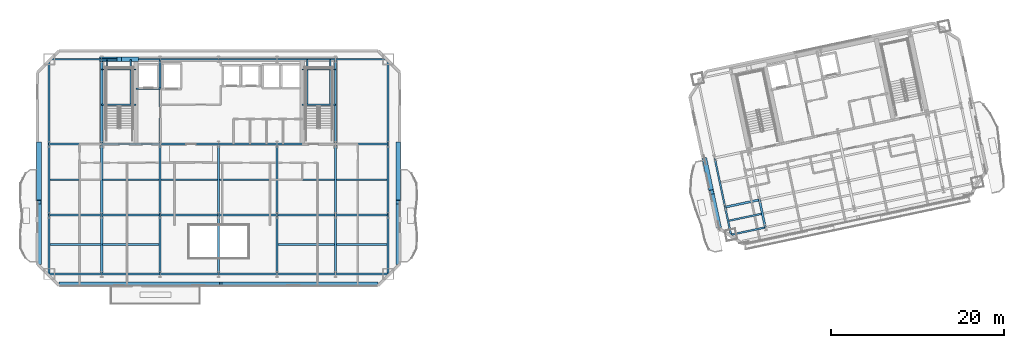
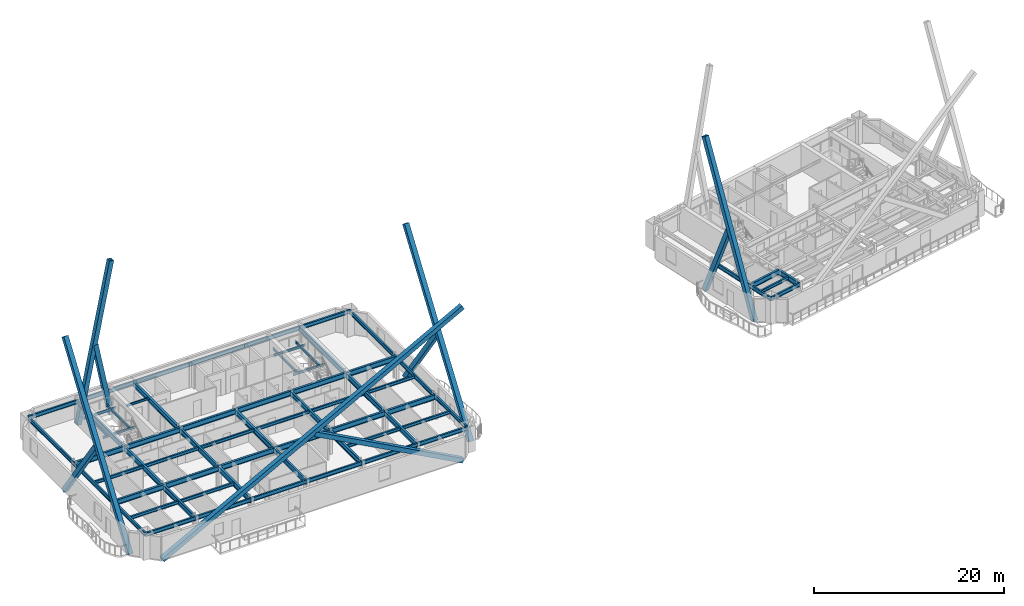
# One storey, part 3 of 19: 68 beams, 10 members.
"""IFC4 building model written with IfcOpenShell, lengths in metres."""

from ifc_helpers import new_model, si_unit, direction, frame, origin, origin_2d, place, context, subcontext, project, spatial, hollow_rectangle, i_section, extrude, material, material_profile, profile_set, type_object, element, save


model = new_model("IFC4")

# Units and contexts
model_context = context("Model", 3, precision=1e-05, world=origin(), true_north=direction((0.0, 1.0)))
body_context = subcontext(model_context, "Body", "Model", "MODEL_VIEW")
ifc_project = project(units=[si_unit("LENGTHUNIT", "METRE"), si_unit("AREAUNIT", "SQUARE_METRE"), si_unit("VOLUMEUNIT", "CUBIC_METRE"), si_unit("PLANEANGLEUNIT", "RADIAN"), si_unit("MASSUNIT", "GRAM", prefix="KILO")], contexts=[model_context])

# Site, building, storey
site_placement = place(None, origin())
site = spatial("IfcSite", under=ifc_project, at=site_placement, CompositionType="ELEMENT")
building_placement = place(site_placement, origin())
building = spatial("IfcBuilding", under=site, at=building_placement, Name="Haevon Station Towers", CompositionType="ELEMENT")
storey_placement = place(building_placement, frame((0.0, 0.0, 156.0)))
storey = spatial("IfcBuildingStorey", under=building, at=storey_placement, Name="L42", CompositionType="ELEMENT", Elevation=156.0)

# Beams
ifc_material_1 = material(Name="Steel S355", Category="steel")
ifc_material_profile_1 = material_profile(ifc_material_1, i_section(OverallWidth=0.25, OverallDepth=0.64990234375, WebThickness=0.012939453125, FlangeThickness=0.02197265625, at=origin_2d()), Name="H-650x250x13x22")
ifc_profile_set_1 = profile_set([ifc_material_profile_1], Name="Steel S355")
beam_type_1 = type_object("IfcBeamType", Name="BM-G650", PredefinedType="BEAM", material=ifc_profile_set_1)
beam_1_placement = place(storey_placement, frame((17.925048828125, 30.0, 2.72509765625), z_axis=(1.0, 0.0, 0.0), x_axis=(0.0, 1.0, 0.0)))
element("IfcBeam", 1, at=beam_1_placement, inside=storey, type_object=beam_type_1, Name="BM-T1U-L42-02-01", PredefinedType="BEAM", context=body_context, shape_type="SweptSolid", body=[
    extrude(i_section(OverallWidth=0.25, OverallDepth=0.64990234375, WebThickness=0.012939453125, FlangeThickness=0.02197265625, at=origin_2d()), origin(), (0.0, 0.0, 1.0), 6.074951171875),
])
for number, where, z_axis, x_axis, name in (
    (2, (24.0, 30.0, 2.72509765625), (1.0, 0.0, 0.0), (0.0, 1.0, 0.0), "BM-T1U-L42-02-02"),
    (3, (30.75, 30.0, 2.72509765625), (1.0, 0.0, 0.0), (0.0, 1.0, 0.0), "BM-T1U-L42-02-03"),
    (4, (37.5, 30.0, 2.72509765625), (1.0, 0.0, 0.0), (0.0, 1.0, 0.0), "BM-T1U-L42-02-04"),
    (5, (44.25, 30.0, 2.72509765625), (1.0, 0.0, 0.0), (0.0, 1.0, 0.0), "BM-T1U-L42-02-05"),
):
    element("IfcBeam", number, at=place(storey_placement, frame(where, z_axis=z_axis, x_axis=x_axis)), inside=storey, type_object=beam_type_1, Name=name, PredefinedType="BEAM", context=body_context, shape_type="SweptSolid", body=[
        extrude(i_section(OverallWidth=0.25, OverallDepth=0.64990234375, WebThickness=0.012939453125, FlangeThickness=0.02197265625, at=origin_2d()), origin(), (0.0, 0.0, 1.0), 6.75),
    ])
for number, where, z_axis, x_axis, name in (
    (6, (51.0, 30.0, 2.72509765625), (1.0, 0.0, 0.0), (0.0, 1.0, 0.0), "BM-T1U-L42-02-06"),
    (7, (17.925048828125, 38.199951171875, 2.72509765625), (1.0, 0.0, 0.0), (0.0, 1.0, 0.0), "BM-T1U-L42-03-01"),
):
    element("IfcBeam", number, at=place(storey_placement, frame(where, z_axis=z_axis, x_axis=x_axis)), inside=storey, type_object=beam_type_1, Name=name, PredefinedType="BEAM", context=body_context, shape_type="SweptSolid", body=[
        extrude(i_section(OverallWidth=0.25, OverallDepth=0.64990234375, WebThickness=0.012939453125, FlangeThickness=0.02197265625, at=origin_2d()), origin(), (0.0, 0.0, 1.0), 6.074951171875),
    ])
for number, where, z_axis, x_axis, name in (
    (8, (24.0, 38.199951171875, 2.72509765625), (1.0, 0.0, 0.0), (0.0, 1.0, 0.0), "BM-T1U-L42-03-02"),
    (9, (30.75, 38.199951171875, 2.72509765625), (1.0, 0.0, 0.0), (0.0, 1.0, 0.0), "BM-T1U-L42-03-03"),
    (10, (37.5, 38.199951171875, 2.72509765625), (1.0, 0.0, 0.0), (0.0, 1.0, 0.0), "BM-T1U-L42-03-04"),
    (11, (44.25, 38.199951171875, 2.72509765625), (1.0, 0.0, 0.0), (0.0, 1.0, 0.0), "BM-T1U-L42-03-05"),
):
    element("IfcBeam", number, at=place(storey_placement, frame(where, z_axis=z_axis, x_axis=x_axis)), inside=storey, type_object=beam_type_1, Name=name, PredefinedType="BEAM", context=body_context, shape_type="SweptSolid", body=[
        extrude(i_section(OverallWidth=0.25, OverallDepth=0.64990234375, WebThickness=0.012939453125, FlangeThickness=0.02197265625, at=origin_2d()), origin(), (0.0, 0.0, 1.0), 6.75),
    ])
beam_2_placement = place(storey_placement, frame((51.0, 38.199951171875, 2.72509765625), z_axis=(1.0, 0.0, 0.0), x_axis=(0.0, 1.0, 0.0)))
element("IfcBeam", 12, at=beam_2_placement, inside=storey, type_object=beam_type_1, Name="BM-T1U-L42-03-06", PredefinedType="BEAM", context=body_context, shape_type="SweptSolid", body=[
    extrude(i_section(OverallWidth=0.25, OverallDepth=0.64990234375, WebThickness=0.012939453125, FlangeThickness=0.02197265625, at=origin_2d()), origin(), (0.0, 0.0, 1.0), 6.074951171875),
])
beam_3_placement = place(storey_placement, frame((24.0, 23.199951171875, 2.72509765625), z_axis=(0.0, 1.0, 0.0), x_axis=(-1.0, 0.0, 0.0)))
element("IfcBeam", 13, at=beam_3_placement, inside=storey, type_object=beam_type_1, Name="BM-T1V-L42-02-01", PredefinedType="BEAM", context=body_context, shape_type="SweptSolid", body=[
    extrude(i_section(OverallWidth=0.25, OverallDepth=0.64990234375, WebThickness=0.012939453125, FlangeThickness=0.02197265625, at=origin_2d()), origin(), (0.0, 0.0, 1.0), 6.800048828125),
])
beam_4_placement = place(storey_placement, frame((24.0, 30.0, 2.72509765625), z_axis=(0.0, 1.0, 0.0), x_axis=(-1.0, 0.0, 0.0)))
element("IfcBeam", 14, at=beam_4_placement, inside=storey, type_object=beam_type_1, Name="BM-T1V-L42-02-02", PredefinedType="BEAM", context=body_context, shape_type="SweptSolid", body=[
    extrude(i_section(OverallWidth=0.25, OverallDepth=0.64990234375, WebThickness=0.012939453125, FlangeThickness=0.02197265625, at=origin_2d()), origin(), (0.0, 0.0, 1.0), 8.199951171875),
])
beam_5_placement = place(storey_placement, frame((24.0, 38.199951171875, 2.72509765625), z_axis=(0.0, 1.0, 0.0), x_axis=(-1.0, 0.0, 0.0)))
element("IfcBeam", 15, at=beam_5_placement, inside=storey, type_object=beam_type_1, Name="BM-T1V-L42-02-03", PredefinedType="BEAM", context=body_context, shape_type="SweptSolid", body=[
    extrude(i_section(OverallWidth=0.25, OverallDepth=0.64990234375, WebThickness=0.012939453125, FlangeThickness=0.02197265625, at=origin_2d()), origin(), (0.0, 0.0, 1.0), 9.800048828125),
])
beam_6_placement = place(storey_placement, frame((30.75, 23.199951171875, 2.72509765625), z_axis=(0.0, 1.0, 0.0), x_axis=(-1.0, 0.0, 0.0)))
element("IfcBeam", 16, at=beam_6_placement, inside=storey, type_object=beam_type_1, Name="BM-T1V-L42-03-01", PredefinedType="BEAM", context=body_context, shape_type="SweptSolid", body=[
    extrude(i_section(OverallWidth=0.25, OverallDepth=0.64990234375, WebThickness=0.012939453125, FlangeThickness=0.02197265625, at=origin_2d()), origin(), (0.0, 0.0, 1.0), 6.800048828125),
])
beam_7_placement = place(storey_placement, frame((30.75, 30.0, 2.72509765625), z_axis=(0.0, 1.0, 0.0), x_axis=(-1.0, 0.0, 0.0)))
element("IfcBeam", 17, at=beam_7_placement, inside=storey, type_object=beam_type_1, Name="BM-T1V-L42-03-02", PredefinedType="BEAM", context=body_context, shape_type="SweptSolid", body=[
    extrude(i_section(OverallWidth=0.25, OverallDepth=0.64990234375, WebThickness=0.012939453125, FlangeThickness=0.02197265625, at=origin_2d()), origin(), (0.0, 0.0, 1.0), 8.199951171875),
])
beam_8_placement = place(storey_placement, frame((30.75, 38.199951171875, 2.72509765625), z_axis=(0.0, 1.0, 0.0), x_axis=(-1.0, 0.0, 0.0)))
element("IfcBeam", 18, at=beam_8_placement, inside=storey, type_object=beam_type_1, Name="BM-T1V-L42-03-03", PredefinedType="BEAM", context=body_context, shape_type="SweptSolid", body=[
    extrude(i_section(OverallWidth=0.25, OverallDepth=0.64990234375, WebThickness=0.012939453125, FlangeThickness=0.02197265625, at=origin_2d()), origin(), (0.0, 0.0, 1.0), 9.800048828125),
])
beam_9_placement = place(storey_placement, frame((37.5, 23.199951171875, 2.72509765625), z_axis=(0.0, 1.0, 0.0), x_axis=(-1.0, 0.0, 0.0)))
element("IfcBeam", 19, at=beam_9_placement, inside=storey, type_object=beam_type_1, Name="BM-T1V-L42-04-01", PredefinedType="BEAM", context=body_context, shape_type="SweptSolid", body=[
    extrude(i_section(OverallWidth=0.25, OverallDepth=0.64990234375, WebThickness=0.012939453125, FlangeThickness=0.02197265625, at=origin_2d()), origin(), (0.0, 0.0, 1.0), 6.800048828125),
])
beam_10_placement = place(storey_placement, frame((37.5, 30.0, 2.72509765625), z_axis=(0.0, 1.0, 0.0), x_axis=(-1.0, 0.0, 0.0)))
element("IfcBeam", 20, at=beam_10_placement, inside=storey, type_object=beam_type_1, Name="BM-T1V-L42-04-02", PredefinedType="BEAM", context=body_context, shape_type="SweptSolid", body=[
    extrude(i_section(OverallWidth=0.25, OverallDepth=0.64990234375, WebThickness=0.012939453125, FlangeThickness=0.02197265625, at=origin_2d()), origin(), (0.0, 0.0, 1.0), 8.199951171875),
])
beam_11_placement = place(storey_placement, frame((44.25, 23.199951171875, 2.72509765625), z_axis=(0.0, 1.0, 0.0), x_axis=(-1.0, 0.0, 0.0)))
element("IfcBeam", 21, at=beam_11_placement, inside=storey, type_object=beam_type_1, Name="BM-T1V-L42-05-01", PredefinedType="BEAM", context=body_context, shape_type="SweptSolid", body=[
    extrude(i_section(OverallWidth=0.25, OverallDepth=0.64990234375, WebThickness=0.012939453125, FlangeThickness=0.02197265625, at=origin_2d()), origin(), (0.0, 0.0, 1.0), 6.800048828125),
])
beam_12_placement = place(storey_placement, frame((44.25, 30.0, 2.72509765625), z_axis=(0.0, 1.0, 0.0), x_axis=(-1.0, 0.0, 0.0)))
element("IfcBeam", 22, at=beam_12_placement, inside=storey, type_object=beam_type_1, Name="BM-T1V-L42-05-02", PredefinedType="BEAM", context=body_context, shape_type="SweptSolid", body=[
    extrude(i_section(OverallWidth=0.25, OverallDepth=0.64990234375, WebThickness=0.012939453125, FlangeThickness=0.02197265625, at=origin_2d()), origin(), (0.0, 0.0, 1.0), 8.199951171875),
])
beam_13_placement = place(storey_placement, frame((51.0, 23.199951171875, 2.72509765625), z_axis=(0.0, 1.0, 0.0), x_axis=(-1.0, 0.0, 0.0)))
element("IfcBeam", 23, at=beam_13_placement, inside=storey, type_object=beam_type_1, Name="BM-T1V-L42-06-01", PredefinedType="BEAM", context=body_context, shape_type="SweptSolid", body=[
    extrude(i_section(OverallWidth=0.25, OverallDepth=0.64990234375, WebThickness=0.012939453125, FlangeThickness=0.02197265625, at=origin_2d()), origin(), (0.0, 0.0, 1.0), 6.800048828125),
])
beam_14_placement = place(storey_placement, frame((51.0, 30.0, 2.72509765625), z_axis=(0.0, 1.0, 0.0), x_axis=(-1.0, 0.0, 0.0)))
element("IfcBeam", 24, at=beam_14_placement, inside=storey, type_object=beam_type_1, Name="BM-T1V-L42-06-02", PredefinedType="BEAM", context=body_context, shape_type="SweptSolid", body=[
    extrude(i_section(OverallWidth=0.25, OverallDepth=0.64990234375, WebThickness=0.012939453125, FlangeThickness=0.02197265625, at=origin_2d()), origin(), (0.0, 0.0, 1.0), 8.199951171875),
])
beam_15_placement = place(storey_placement, frame((51.0, 38.199951171875, 2.72509765625), z_axis=(0.0, 1.0, 0.0), x_axis=(-1.0, 0.0, 0.0)))
element("IfcBeam", 25, at=beam_15_placement, inside=storey, type_object=beam_type_1, Name="BM-T1V-L42-06-03", PredefinedType="BEAM", context=body_context, shape_type="SweptSolid", body=[
    extrude(i_section(OverallWidth=0.25, OverallDepth=0.64990234375, WebThickness=0.012939453125, FlangeThickness=0.02197265625, at=origin_2d()), origin(), (0.0, 0.0, 1.0), 9.800048828125),
])
beam_16_placement = place(storey_placement, frame((95.996826171875, 30.927001953125, 2.72509765625), z_axis=(0.978146899108, 0.207914991681, 0.0), x_axis=(-0.207914991681, 0.978146899108, 0.0)))
element("IfcBeam", 26, at=beam_16_placement, inside=storey, type_object=beam_type_1, Name="BM-T2U-L42-02-01", PredefinedType="BEAM", context=body_context, shape_type="SweptSolid", body=[
    extrude(i_section(OverallWidth=0.25, OverallDepth=0.64990234375, WebThickness=0.012939453125, FlangeThickness=0.02197265625, at=origin_2d()), origin(), (0.0, 0.0, 1.0), 4.050048828125),
])
beam_17_placement = place(storey_placement, frame((100.635986328125, 28.580322265625, 2.72509765625), z_axis=(-0.207897270364, 0.978150665785, 0.0), x_axis=(-0.978150665785, -0.207897270364, 0.0)))
element("IfcBeam", 27, at=beam_17_placement, inside=storey, type_object=beam_type_1, Name="BM-T2V-L42-02-01", PredefinedType="BEAM", context=body_context, shape_type="SweptSolid", body=[
    extrude(i_section(OverallWidth=0.25, OverallDepth=0.64990234375, WebThickness=0.012939453125, FlangeThickness=0.02197265625, at=origin_2d()), origin(), (0.0, 0.0, 1.0), 3.260009765625),
])
ifc_material_profile_2 = material_profile(ifc_material_1, i_section(OverallWidth=0.199951171875, OverallDepth=0.39990234375, WebThickness=0.008056640625, FlangeThickness=0.012939453125, at=origin_2d()), Name="H-400x200x8x13")
ifc_profile_set_2 = profile_set([ifc_material_profile_2], Name="Steel S355")
beam_type_2 = type_object("IfcBeamType", Name="BM-J400", PredefinedType="JOIST", material=ifc_profile_set_2)
beam_18_placement = place(storey_placement, frame((18.034912109375, 26.60009765625, 2.85009765625), z_axis=(1.0, 0.0, 0.0), x_axis=(0.0, 1.0, 0.0)))
element("IfcBeam", 28, at=beam_18_placement, inside=storey, type_object=beam_type_2, Name="BM-T1J-L42-01-01", PredefinedType="JOIST", context=body_context, shape_type="SweptSolid", body=[
    extrude(i_section(OverallWidth=0.199951171875, OverallDepth=0.39990234375, WebThickness=0.008056640625, FlangeThickness=0.012939453125, at=origin_2d()), origin(), (0.0, 0.0, 1.0), 5.85498046875),
])
for number, where, z_axis, x_axis, name in (
    (29, (24.110107421875, 26.60009765625, 2.85009765625), (1.0, 0.0, 0.0), (0.0, 1.0, 0.0), "BM-T1J-L42-01-02"),
    (30, (44.360107421875, 26.60009765625, 2.85009765625), (1.0, 0.0, 0.0), (0.0, 1.0, 0.0), "BM-T1J-L42-01-05"),
):
    element("IfcBeam", number, at=place(storey_placement, frame(where, z_axis=z_axis, x_axis=x_axis)), inside=storey, type_object=beam_type_2, Name=name, PredefinedType="JOIST", context=body_context, shape_type="SweptSolid", body=[
        extrude(i_section(OverallWidth=0.199951171875, OverallDepth=0.39990234375, WebThickness=0.008056640625, FlangeThickness=0.012939453125, at=origin_2d()), origin(), (0.0, 0.0, 1.0), 6.52978515625),
    ])
for number, where, z_axis, x_axis, name in (
    (31, (51.110107421875, 26.60009765625, 2.85009765625), (1.0, 0.0, 0.0), (0.0, 1.0, 0.0), "BM-T1J-L42-01-06"),
    (32, (18.034912109375, 34.10009765625, 2.85009765625), (1.0, 0.0, 0.0), (0.0, 1.0, 0.0), "BM-T1J-L42-02-01"),
):
    element("IfcBeam", number, at=place(storey_placement, frame(where, z_axis=z_axis, x_axis=x_axis)), inside=storey, type_object=beam_type_2, Name=name, PredefinedType="JOIST", context=body_context, shape_type="SweptSolid", body=[
        extrude(i_section(OverallWidth=0.199951171875, OverallDepth=0.39990234375, WebThickness=0.008056640625, FlangeThickness=0.012939453125, at=origin_2d()), origin(), (0.0, 0.0, 1.0), 5.85498046875),
    ])
for number, where, z_axis, x_axis, name in (
    (33, (24.110107421875, 34.10009765625, 2.85009765625), (1.0, 0.0, 0.0), (0.0, 1.0, 0.0), "BM-T1J-L42-02-02"),
    (34, (30.860107421875, 34.10009765625, 2.85009765625), (1.0, 0.0, 0.0), (0.0, 1.0, 0.0), "BM-T1J-L42-02-03"),
    (35, (37.610107421875, 34.10009765625, 2.85009765625), (1.0, 0.0, 0.0), (0.0, 1.0, 0.0), "BM-T1J-L42-02-04"),
    (36, (44.360107421875, 34.10009765625, 2.85009765625), (1.0, 0.0, 0.0), (0.0, 1.0, 0.0), "BM-T1J-L42-02-05"),
):
    element("IfcBeam", number, at=place(storey_placement, frame(where, z_axis=z_axis, x_axis=x_axis)), inside=storey, type_object=beam_type_2, Name=name, PredefinedType="JOIST", context=body_context, shape_type="SweptSolid", body=[
        extrude(i_section(OverallWidth=0.199951171875, OverallDepth=0.39990234375, WebThickness=0.008056640625, FlangeThickness=0.012939453125, at=origin_2d()), origin(), (0.0, 0.0, 1.0), 6.52978515625),
    ])
beam_19_placement = place(storey_placement, frame((51.110107421875, 34.10009765625, 2.85009765625), z_axis=(1.0, 0.0, 0.0), x_axis=(0.0, 1.0, 0.0)))
element("IfcBeam", 37, at=beam_19_placement, inside=storey, type_object=beam_type_2, Name="BM-T1J-L42-02-06", PredefinedType="JOIST", context=body_context, shape_type="SweptSolid", body=[
    extrude(i_section(OverallWidth=0.199951171875, OverallDepth=0.39990234375, WebThickness=0.008056640625, FlangeThickness=0.012939453125, at=origin_2d()), origin(), (0.0, 0.0, 1.0), 5.85498046875),
])
beam_20_placement = place(storey_placement, frame((96.443115234375, 29.355712890625, 2.85009765625), z_axis=(0.978156420772, 0.207870191472, 0.0), x_axis=(-0.207870191472, 0.978156420772, 0.0)))
element("IfcBeam", 38, at=beam_20_placement, inside=storey, type_object=beam_type_2, Name="BM-T2J-L42-01-01", PredefinedType="JOIST", context=body_context, shape_type="SweptSolid", body=[
    extrude(i_section(OverallWidth=0.199951171875, OverallDepth=0.39990234375, WebThickness=0.008056640625, FlangeThickness=0.012939453125, at=origin_2d()), origin(), (0.0, 0.0, 1.0), 3.830078125),
])
ifc_material_profile_3 = material_profile(ifc_material_1, i_section(OverallWidth=0.14990234375, OverallDepth=0.300048828125, WebThickness=0.006591796875, FlangeThickness=0.009033203125, at=origin_2d()), Name="H-300x150x6.5x9")
ifc_profile_set_3 = profile_set([ifc_material_profile_3], Name="Steel S355")
beam_type_3 = type_object("IfcBeamType", Name="BM-LIN300", PredefinedType="LINTEL", material=ifc_profile_set_3)
for number, where, z_axis, x_axis, name in (
    (39, (24.0, 42.743896484375, 1.300048828125), (1.0, 0.0, 0.0), (0.0, 1.0, 0.0), "BM-ST1L-L42-1-S"),
    (40, (24.0, 46.820068359375, 1.300048828125), (1.0, 0.0, 0.0), (0.0, 1.0, 0.0), "BM-ST1L-L42-1-N"),
):
    element("IfcBeam", number, at=place(storey_placement, frame(where, z_axis=z_axis, x_axis=x_axis)), inside=storey, type_object=beam_type_3, Name=name, PredefinedType="LINTEL", context=body_context, shape_type="SweptSolid", body=[
        extrude(i_section(OverallWidth=0.14990234375, OverallDepth=0.300048828125, WebThickness=0.006591796875, FlangeThickness=0.009033203125, at=origin_2d()), origin(), (0.0, 0.0, 1.0), 3.949951171875),
    ])
for number, where, z_axis, x_axis, name in (
    (41, (24.60009765625, 42.743896484375, 1.300048828125), (0.0, 1.0, 0.0), (-1.0, 0.0, 0.0), "BM-ST1L-L42-1-W"),
    (42, (27.35009765625, 42.743896484375, 1.300048828125), (0.0, 1.0, 0.0), (-1.0, 0.0, 0.0), "BM-ST1L-L42-1-E"),
):
    element("IfcBeam", number, at=place(storey_placement, frame(where, z_axis=z_axis, x_axis=x_axis)), inside=storey, type_object=beam_type_3, Name=name, PredefinedType="LINTEL", context=body_context, shape_type="SweptSolid", body=[
        extrude(i_section(OverallWidth=0.14990234375, OverallDepth=0.300048828125, WebThickness=0.006591796875, FlangeThickness=0.009033203125, at=origin_2d()), origin(), (0.0, 0.0, 1.0), 5.256103515625),
    ])
for number, where, z_axis, x_axis, name in (
    (43, (47.14990234375, 42.743896484375, 1.300048828125), (1.0, 0.0, 0.0), (0.0, 1.0, 0.0), "BM-ST2L-L42-1-S"),
    (44, (47.14990234375, 46.820068359375, 1.300048828125), (1.0, 0.0, 0.0), (0.0, 1.0, 0.0), "BM-ST2L-L42-1-N"),
):
    element("IfcBeam", number, at=place(storey_placement, frame(where, z_axis=z_axis, x_axis=x_axis)), inside=storey, type_object=beam_type_3, Name=name, PredefinedType="LINTEL", context=body_context, shape_type="SweptSolid", body=[
        extrude(i_section(OverallWidth=0.14990234375, OverallDepth=0.300048828125, WebThickness=0.006591796875, FlangeThickness=0.009033203125, at=origin_2d()), origin(), (0.0, 0.0, 1.0), 3.85009765625),
    ])
for number, where, z_axis, x_axis, name in (
    (45, (47.75, 42.743896484375, 1.300048828125), (0.0, 1.0, 0.0), (-1.0, 0.0, 0.0), "BM-ST2L-L42-1-W"),
    (46, (50.39990234375, 42.743896484375, 1.300048828125), (0.0, 1.0, 0.0), (-1.0, 0.0, 0.0), "BM-ST2L-L42-1-E"),
):
    element("IfcBeam", number, at=place(storey_placement, frame(where, z_axis=z_axis, x_axis=x_axis)), inside=storey, type_object=beam_type_3, Name=name, PredefinedType="LINTEL", context=body_context, shape_type="SweptSolid", body=[
        extrude(i_section(OverallWidth=0.14990234375, OverallDepth=0.300048828125, WebThickness=0.006591796875, FlangeThickness=0.009033203125, at=origin_2d()), origin(), (0.0, 0.0, 1.0), 5.256103515625),
    ])
beam_21_placement = place(storey_placement, frame((27.949951171875, 44.60009765625, 2.89990234375), z_axis=(1.0, 0.0, 0.0), x_axis=(0.0, 1.0, 0.0)))
element("IfcBeam", 47, at=beam_21_placement, inside=storey, type_object=beam_type_3, Name="BM-T1LIN-L42", PredefinedType="LINTEL", context=body_context, shape_type="SweptSolid", body=[
    extrude(i_section(OverallWidth=0.14990234375, OverallDepth=0.300048828125, WebThickness=0.006591796875, FlangeThickness=0.009033203125, at=origin_2d()), origin(), (0.0, 0.0, 1.0), 2.85009765625),
])
ifc_material_profile_4 = material_profile(ifc_material_1, i_section(OverallWidth=0.199951171875, OverallDepth=0.5, WebThickness=0.010009765625, FlangeThickness=0.01611328125, at=origin_2d()), Name="H-500x200x10x16")
ifc_profile_set_4 = profile_set([ifc_material_profile_4], Name="Steel S355")
beam_type_4 = type_object("IfcBeamType", Name="BM-SP500", PredefinedType="SPANDREL", material=ifc_profile_set_4)
beam_22_placement = place(storey_placement, frame((17.925048828125, 23.199951171875, 2.800048828125), z_axis=(1.0, 0.0, 0.0), x_axis=(0.0, 1.0, 0.0)))
element("IfcBeam", 48, at=beam_22_placement, inside=storey, type_object=beam_type_4, Name="BM-T1U-L42-01-01", PredefinedType="SPANDREL", context=body_context, shape_type="SweptSolid", body=[
    extrude(i_section(OverallWidth=0.199951171875, OverallDepth=0.5, WebThickness=0.010009765625, FlangeThickness=0.01611328125, at=origin_2d()), origin(), (0.0, 0.0, 1.0), 6.074951171875),
])
for number, where, z_axis, x_axis, name in (
    (49, (24.0, 23.199951171875, 2.800048828125), (1.0, 0.0, 0.0), (0.0, 1.0, 0.0), "BM-T1U-L42-01-02"),
    (50, (30.75, 23.199951171875, 2.800048828125), (1.0, 0.0, 0.0), (0.0, 1.0, 0.0), "BM-T1U-L42-01-03"),
    (51, (37.5, 23.199951171875, 2.800048828125), (1.0, 0.0, 0.0), (0.0, 1.0, 0.0), "BM-T1U-L42-01-04"),
    (52, (44.25, 23.199951171875, 2.800048828125), (1.0, 0.0, 0.0), (0.0, 1.0, 0.0), "BM-T1U-L42-01-05"),
):
    element("IfcBeam", number, at=place(storey_placement, frame(where, z_axis=z_axis, x_axis=x_axis)), inside=storey, type_object=beam_type_4, Name=name, PredefinedType="SPANDREL", context=body_context, shape_type="SweptSolid", body=[
        extrude(i_section(OverallWidth=0.199951171875, OverallDepth=0.5, WebThickness=0.010009765625, FlangeThickness=0.01611328125, at=origin_2d()), origin(), (0.0, 0.0, 1.0), 6.75),
    ])
for number, where, z_axis, x_axis, name in (
    (53, (51.0, 23.199951171875, 2.800048828125), (1.0, 0.0, 0.0), (0.0, 1.0, 0.0), "BM-T1U-L42-01-06"),
    (54, (17.925048828125, 48.0, 2.800048828125), (1.0, 0.0, 0.0), (0.0, 1.0, 0.0), "BM-T1U-L42-04-01"),
):
    element("IfcBeam", number, at=place(storey_placement, frame(where, z_axis=z_axis, x_axis=x_axis)), inside=storey, type_object=beam_type_4, Name=name, PredefinedType="SPANDREL", context=body_context, shape_type="SweptSolid", body=[
        extrude(i_section(OverallWidth=0.199951171875, OverallDepth=0.5, WebThickness=0.010009765625, FlangeThickness=0.01611328125, at=origin_2d()), origin(), (0.0, 0.0, 1.0), 6.074951171875),
    ])
for number, where, z_axis, x_axis, name in (
    (55, (24.0, 48.0, 2.800048828125), (1.0, 0.0, 0.0), (0.0, 1.0, 0.0), "BM-T1U-L42-04-02"),
    (56, (30.75, 48.0, 2.800048828125), (1.0, 0.0, 0.0), (0.0, 1.0, 0.0), "BM-T1U-L42-04-03"),
    (57, (37.5, 48.0, 2.800048828125), (1.0, 0.0, 0.0), (0.0, 1.0, 0.0), "BM-T1U-L42-04-04"),
    (58, (44.25, 48.0, 2.800048828125), (1.0, 0.0, 0.0), (0.0, 1.0, 0.0), "BM-T1U-L42-04-05"),
):
    element("IfcBeam", number, at=place(storey_placement, frame(where, z_axis=z_axis, x_axis=x_axis)), inside=storey, type_object=beam_type_4, Name=name, PredefinedType="SPANDREL", context=body_context, shape_type="SweptSolid", body=[
        extrude(i_section(OverallWidth=0.199951171875, OverallDepth=0.5, WebThickness=0.010009765625, FlangeThickness=0.01611328125, at=origin_2d()), origin(), (0.0, 0.0, 1.0), 6.75),
    ])
beam_23_placement = place(storey_placement, frame((51.0, 48.0, 2.800048828125), z_axis=(1.0, 0.0, 0.0), x_axis=(0.0, 1.0, 0.0)))
element("IfcBeam", 59, at=beam_23_placement, inside=storey, type_object=beam_type_4, Name="BM-T1U-L42-04-06", PredefinedType="SPANDREL", context=body_context, shape_type="SweptSolid", body=[
    extrude(i_section(OverallWidth=0.199951171875, OverallDepth=0.5, WebThickness=0.010009765625, FlangeThickness=0.01611328125, at=origin_2d()), origin(), (0.0, 0.0, 1.0), 6.074951171875),
])
beam_24_placement = place(storey_placement, frame((17.925048828125, 23.199951171875, 2.800048828125), z_axis=(0.0, 1.0, 0.0), x_axis=(-1.0, 0.0, 0.0)))
element("IfcBeam", 60, at=beam_24_placement, inside=storey, type_object=beam_type_4, Name="BM-T1V-L42-01-01", PredefinedType="SPANDREL", context=body_context, shape_type="SweptSolid", body=[
    extrude(i_section(OverallWidth=0.199951171875, OverallDepth=0.5, WebThickness=0.010009765625, FlangeThickness=0.01611328125, at=origin_2d()), origin(), (0.0, 0.0, 1.0), 6.800048828125),
])
beam_25_placement = place(storey_placement, frame((17.925048828125, 30.0, 2.800048828125), z_axis=(0.0, 1.0, 0.0), x_axis=(-1.0, 0.0, 0.0)))
element("IfcBeam", 61, at=beam_25_placement, inside=storey, type_object=beam_type_4, Name="BM-T1V-L42-01-02", PredefinedType="SPANDREL", context=body_context, shape_type="SweptSolid", body=[
    extrude(i_section(OverallWidth=0.199951171875, OverallDepth=0.5, WebThickness=0.010009765625, FlangeThickness=0.01611328125, at=origin_2d()), origin(), (0.0, 0.0, 1.0), 8.199951171875),
])
beam_26_placement = place(storey_placement, frame((17.925048828125, 38.199951171875, 2.800048828125), z_axis=(0.0, 1.0, 0.0), x_axis=(-1.0, 0.0, 0.0)))
element("IfcBeam", 62, at=beam_26_placement, inside=storey, type_object=beam_type_4, Name="BM-T1V-L42-01-03", PredefinedType="SPANDREL", context=body_context, shape_type="SweptSolid", body=[
    extrude(i_section(OverallWidth=0.199951171875, OverallDepth=0.5, WebThickness=0.010009765625, FlangeThickness=0.01611328125, at=origin_2d()), origin(), (0.0, 0.0, 1.0), 9.800048828125),
])
beam_27_placement = place(storey_placement, frame((57.074951171875, 23.199951171875, 2.800048828125), z_axis=(0.0, 1.0, 0.0), x_axis=(-1.0, 0.0, 0.0)))
element("IfcBeam", 63, at=beam_27_placement, inside=storey, type_object=beam_type_4, Name="BM-T1V-L42-07-01", PredefinedType="SPANDREL", context=body_context, shape_type="SweptSolid", body=[
    extrude(i_section(OverallWidth=0.199951171875, OverallDepth=0.5, WebThickness=0.010009765625, FlangeThickness=0.01611328125, at=origin_2d()), origin(), (0.0, 0.0, 1.0), 6.800048828125),
])
beam_28_placement = place(storey_placement, frame((57.074951171875, 30.0, 2.800048828125), z_axis=(0.0, 1.0, 0.0), x_axis=(-1.0, 0.0, 0.0)))
element("IfcBeam", 64, at=beam_28_placement, inside=storey, type_object=beam_type_4, Name="BM-T1V-L42-07-02", PredefinedType="SPANDREL", context=body_context, shape_type="SweptSolid", body=[
    extrude(i_section(OverallWidth=0.199951171875, OverallDepth=0.5, WebThickness=0.010009765625, FlangeThickness=0.01611328125, at=origin_2d()), origin(), (0.0, 0.0, 1.0), 8.199951171875),
])
beam_29_placement = place(storey_placement, frame((57.074951171875, 38.199951171875, 2.800048828125), z_axis=(0.0, 1.0, 0.0), x_axis=(-1.0, 0.0, 0.0)))
element("IfcBeam", 65, at=beam_29_placement, inside=storey, type_object=beam_type_4, Name="BM-T1V-L42-07-03", PredefinedType="SPANDREL", context=body_context, shape_type="SweptSolid", body=[
    extrude(i_section(OverallWidth=0.199951171875, OverallDepth=0.5, WebThickness=0.010009765625, FlangeThickness=0.01611328125, at=origin_2d()), origin(), (0.0, 0.0, 1.0), 9.800048828125),
])
beam_30_placement = place(storey_placement, frame((96.674560546875, 27.73828125, 2.800048828125), z_axis=(0.978146899108, 0.207914991681, 0.0), x_axis=(-0.207914991681, 0.978146899108, 0.0)))
element("IfcBeam", 66, at=beam_30_placement, inside=storey, type_object=beam_type_4, Name="BM-T2U-L42-01-01", PredefinedType="SPANDREL", context=body_context, shape_type="SweptSolid", body=[
    extrude(i_section(OverallWidth=0.199951171875, OverallDepth=0.5, WebThickness=0.010009765625, FlangeThickness=0.01611328125, at=origin_2d()), origin(), (0.0, 0.0, 1.0), 4.050048828125),
])
beam_31_placement = place(storey_placement, frame((96.674560546875, 27.73828125, 2.800048828125), z_axis=(-0.207897270364, 0.978150665785, 0.0), x_axis=(-0.978150665785, -0.207897270364, 0.0)))
element("IfcBeam", 67, at=beam_31_placement, inside=storey, type_object=beam_type_4, Name="BM-T2V-L42-01-01", PredefinedType="SPANDREL", context=body_context, shape_type="SweptSolid", body=[
    extrude(i_section(OverallWidth=0.199951171875, OverallDepth=0.5, WebThickness=0.010009765625, FlangeThickness=0.01611328125, at=origin_2d()), origin(), (0.0, 0.0, 1.0), 3.260009765625),
])
beam_32_placement = place(storey_placement, frame((95.996826171875, 30.927001953125, 2.800048828125), z_axis=(-0.207936282142, 0.978142373363, 0.0), x_axis=(-0.978142373363, -0.207936282142, 0.0)))
element("IfcBeam", 68, at=beam_32_placement, inside=storey, type_object=beam_type_4, Name="BM-T2V-L42-01-02", PredefinedType="SPANDREL", context=body_context, shape_type="SweptSolid", body=[
    extrude(i_section(OverallWidth=0.199951171875, OverallDepth=0.5, WebThickness=0.010009765625, FlangeThickness=0.01611328125, at=origin_2d()), origin(), (0.0, 0.0, 1.0), 5.800048828125),
])

# Members
ifc_material_2 = material(Name="Steel S460", Category="steel")
ifc_material_profile_5 = material_profile(ifc_material_2, hollow_rectangle(XDim=0.550048828125, YDim=0.550048828125, WallThickness=0.028076171875, at=origin_2d()), Name="RHS-550x550x28")
ifc_profile_set_5 = profile_set([ifc_material_profile_5], Name="Steel S460")
member_type = type_object("IfcMemberType", Name="MB-550", PredefinedType="BRACE", material=ifc_profile_set_5)
member_1_placement = place(storey_placement, frame((19.22509765625, 22.030029296875, -0.1201171875), z_axis=(0.879571902245, 0.0, 0.47576598111), x_axis=(0.0, 1.0, 0.0)))
element("IfcMember", 69, at=member_1_placement, inside=storey, type_object=member_type, Name="BR-T1MB-T06-S-D1", PredefinedType="BRACE", context=body_context, shape_type="SweptSolid", body=[
    extrude(hollow_rectangle(XDim=0.550048828125, YDim=0.550048828125, WallThickness=0.028076171875, at=origin_2d()), origin(), (0.0, 0.0, 1.0), 41.55419921875),
])
member_2_placement = place(storey_placement, frame((55.77490234375, 22.030029296875, -0.1201171875), z_axis=(-0.879570420811, 0.0, 0.475768719899), x_axis=(0.0, -1.0, 0.0)))
element("IfcMember", 70, at=member_2_placement, inside=storey, type_object=member_type, Name="BR-T1MB-T06-S-D2A", PredefinedType="BRACE", context=body_context, shape_type="SweptSolid", body=[
    extrude(hollow_rectangle(XDim=0.550048828125, YDim=0.550048828125, WallThickness=0.028076171875, at=origin_2d()), origin(), (0.0, 0.0, 1.0), 20.489990234375),
])
member_3_placement = place(storey_placement, frame((24.0, 48.0, -0.1201171875), z_axis=(0.19592284188, 0.0, 0.98061931453), x_axis=(0.0, 1.0, 0.0)))
element("IfcMember", 71, at=member_3_placement, inside=storey, type_object=member_type, Name="BR-T1MB-T06-N-D1", PredefinedType="BRACE", context=body_context, shape_type="SweptSolid", body=[
    extrude(hollow_rectangle(XDim=0.550048828125, YDim=0.550048828125, WallThickness=0.028076171875, at=origin_2d()), origin(), (0.0, 0.0, 1.0), 20.16064453125),
])
member_4_placement = place(storey_placement, frame((27.949951171875, 48.0, -0.1201171875), z_axis=(-0.195914783678, 0.0, 0.980620924484), x_axis=(0.0, -1.0, 0.0)))
element("IfcMember", 72, at=member_4_placement, inside=storey, type_object=member_type, Name="BR-T1MB-T06-N-D2A", PredefinedType="BRACE", context=body_context, shape_type="SweptSolid", body=[
    extrude(hollow_rectangle(XDim=0.550048828125, YDim=0.550048828125, WallThickness=0.028076171875, at=origin_2d()), origin(), (0.0, 0.0, 1.0), 9.79345703125),
])
member_5_placement = place(storey_placement, frame((16.7548828125, 24.5, -0.1201171875), z_axis=(0.0, 0.569575693326, 0.821938884329), x_axis=(-1.0, 0.0, 0.0)))
element("IfcMember", 73, at=member_5_placement, inside=storey, type_object=member_type, Name="BR-T1MB-T06-W-D1", PredefinedType="BRACE", context=body_context, shape_type="SweptSolid", body=[
    extrude(hollow_rectangle(XDim=0.550048828125, YDim=0.550048828125, WallThickness=0.028076171875, at=origin_2d()), origin(), (0.0, 0.0, 1.0), 24.052978515625),
])
member_6_placement = place(storey_placement, frame((16.7548828125, 38.199951171875, -0.1201171875), z_axis=(0.0, -0.569574360663, 0.821939807817), x_axis=(1.0, 0.0, 0.0)))
element("IfcMember", 74, at=member_6_placement, inside=storey, type_object=member_type, Name="BR-T1MB-T06-W-D2A", PredefinedType="BRACE", context=body_context, shape_type="SweptSolid", body=[
    extrude(hollow_rectangle(XDim=0.550048828125, YDim=0.550048828125, WallThickness=0.028076171875, at=origin_2d()), origin(), (0.0, 0.0, 1.0), 11.739501953125),
])
member_7_placement = place(storey_placement, frame((58.2451171875, 24.5, -0.1201171875), z_axis=(0.0, 0.569575693326, 0.821938884329), x_axis=(-1.0, 0.0, 0.0)))
element("IfcMember", 75, at=member_7_placement, inside=storey, type_object=member_type, Name="BR-T1MB-T06-E-D1", PredefinedType="BRACE", context=body_context, shape_type="SweptSolid", body=[
    extrude(hollow_rectangle(XDim=0.550048828125, YDim=0.550048828125, WallThickness=0.028076171875, at=origin_2d()), origin(), (0.0, 0.0, 1.0), 24.052978515625),
])
member_8_placement = place(storey_placement, frame((58.2451171875, 38.199951171875, -0.1201171875), z_axis=(0.0, -0.569574360663, 0.821939807817), x_axis=(1.0, 0.0, 0.0)))
element("IfcMember", 76, at=member_8_placement, inside=storey, type_object=member_type, Name="BR-T1MB-T06-E-D2A", PredefinedType="BRACE", context=body_context, shape_type="SweptSolid", body=[
    extrude(hollow_rectangle(XDim=0.550048828125, YDim=0.550048828125, WallThickness=0.028076171875, at=origin_2d()), origin(), (0.0, 0.0, 1.0), 11.739501953125),
])
member_9_placement = place(storey_placement, frame((95.259765625, 28.7666015625, -0.1201171875), z_axis=(-0.075960283376, 0.357397271558, 0.930858327369), x_axis=(-0.978151414246, -0.207893748845, 0.0)))
element("IfcMember", 77, at=member_9_placement, inside=storey, type_object=member_type, Name="BR-T2MB-T06-W-D1", PredefinedType="BRACE", context=body_context, shape_type="SweptSolid", body=[
    extrude(hollow_rectangle(XDim=0.550048828125, YDim=0.550048828125, WallThickness=0.028076171875, at=origin_2d()), origin(), (0.0, 0.0, 1.0), 21.238525390625),
])
member_10_placement = place(storey_placement, frame((93.646484375, 36.357177734375, -0.1201171875), z_axis=(0.075966996325, -0.357387502152, 0.930861530398), x_axis=(0.978146522194, 0.207916764883, 0.0)))
element("IfcMember", 78, at=member_10_placement, inside=storey, type_object=member_type, Name="BR-T2MB-T06-W-D2A", PredefinedType="BRACE", context=body_context, shape_type="SweptSolid", body=[
    extrude(hollow_rectangle(XDim=0.550048828125, YDim=0.550048828125, WallThickness=0.028076171875, at=origin_2d()), origin(), (0.0, 0.0, 1.0), 10.332275390625),
])

save(model, "model.ifc")
